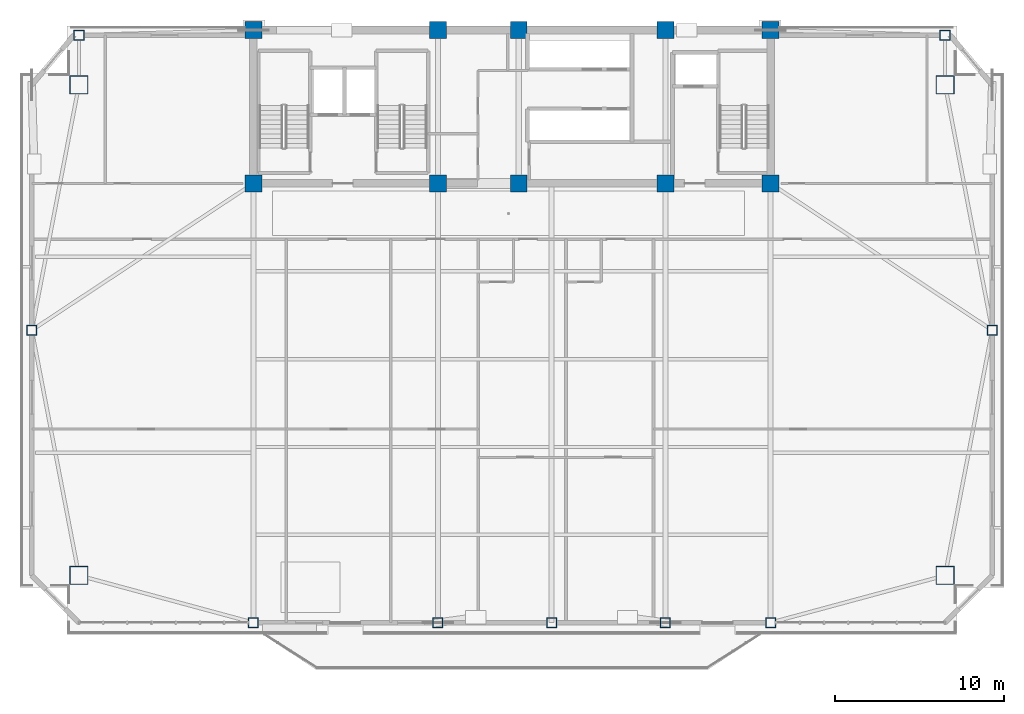
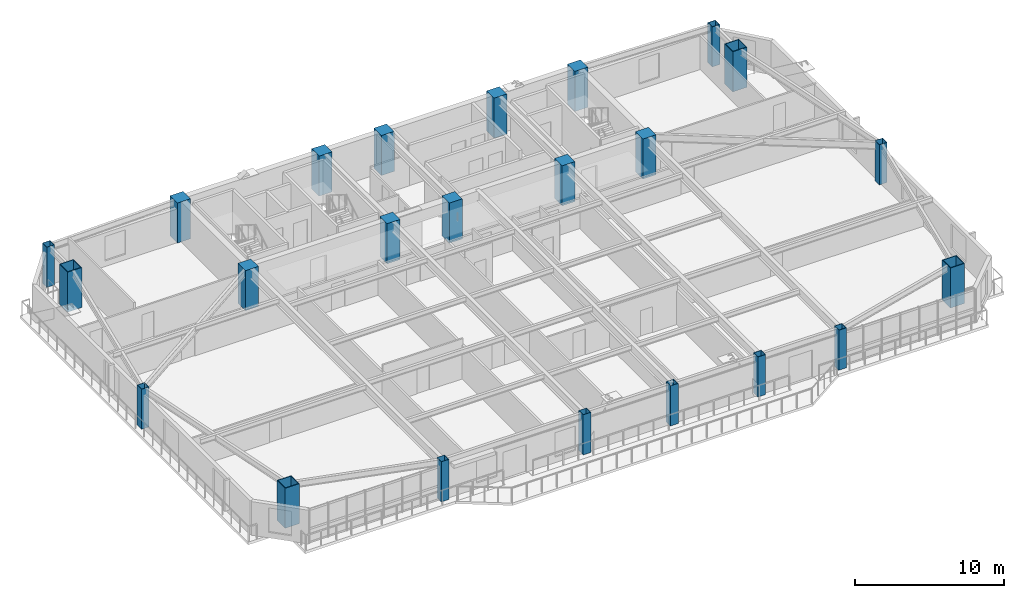
# One storey, part 1 of 17: 23 columns.
"""IFC4 building model written with IfcOpenShell, lengths in metres."""

from ifc_helpers import new_model, si_unit, direction, frame, origin, origin_2d, place, context, subcontext, project, spatial, rectangle, hollow_rectangle, extrude, source, transform, mapped, material, material_profile, profile_set, type_object, element, save


model = new_model("IFC4")

# Units and contexts
model_context = context("Model", 3, precision=1e-05, world=origin(), true_north=direction((0.0, 1.0)))
body_context = subcontext(model_context, "Body", "Model", "MODEL_VIEW")
ifc_project = project(units=[si_unit("LENGTHUNIT", "METRE"), si_unit("AREAUNIT", "SQUARE_METRE"), si_unit("VOLUMEUNIT", "CUBIC_METRE"), si_unit("PLANEANGLEUNIT", "RADIAN"), si_unit("MASSUNIT", "GRAM", prefix="KILO")], contexts=[model_context])

# Site, building, storey
site_placement = place(None, origin())
site = spatial("IfcSite", under=ifc_project, at=site_placement, CompositionType="ELEMENT")
building_placement = place(site_placement, origin())
building = spatial("IfcBuilding", under=site, at=building_placement, Name="Giltprow Tower", CompositionType="ELEMENT")
storey_placement = place(building_placement, frame((0.0, 0.0, 202.699951171875)))
storey = spatial("IfcBuildingStorey", under=building, at=storey_placement, Name="L51", CompositionType="ELEMENT", Elevation=202.699951171875)

# Columns
ifc_material_1 = material(Name="Concrete C50", Category="concrete")
ifc_material_profile_1 = material_profile(ifc_material_1, rectangle(XDim=1.0, YDim=1.0, at=origin_2d()), Name="RC 1000x1000")
ifc_profile_set_1 = profile_set([ifc_material_profile_1], Name="Concrete C50")
column_type_1 = type_object("IfcColumnType", Name="PIL-RC-1000-C50", PredefinedType="PILASTER", material=ifc_profile_set_1)
shared_shape_1 = source(origin(), body_context, "Body", "SweptSolid", [
    extrude(rectangle(XDim=1.0, YDim=1.0, at=origin_2d()), origin(), (0.0, 0.0, 1.0), 3.27001953125),
])
for number, where, z_axis, x_axis, name in (
    (1, (19.85009765625, 37.449951171875, 0.0), (0.0, 0.0, 1.0), (1.0, 0.0, 0.0), "L51 Core Boundary Pilaster 1-1"),
    (2, (19.85009765625, 46.550048828125, 0.0), (0.0, 0.0, 1.0), (1.0, 0.0, 0.0), "L51 Core Boundary Pilaster 1-2"),
    (3, (30.800048828125, 37.449951171875, 0.0), (0.0, 0.0, 1.0), (1.0, 0.0, 0.0), "L51 Core Boundary Pilaster 2-1"),
    (4, (30.800048828125, 46.550048828125, 0.0), (0.0, 0.0, 1.0), (1.0, 0.0, 0.0), "L51 Core Boundary Pilaster 2-2"),
    (5, (35.60009765625, 37.449951171875, 0.0), (0.0, 0.0, 1.0), (1.0, 0.0, 0.0), "L51 Core Boundary Pilaster 3-1"),
    (6, (35.60009765625, 46.550048828125, 0.0), (0.0, 0.0, 1.0), (1.0, 0.0, 0.0), "L51 Core Boundary Pilaster 3-2"),
    (7, (44.300048828125, 37.449951171875, 0.0), (0.0, 0.0, 1.0), (1.0, 0.0, 0.0), "L51 Core Boundary Pilaster 4-1"),
    (8, (44.300048828125, 46.550048828125, 0.0), (0.0, 0.0, 1.0), (1.0, 0.0, 0.0), "L51 Core Boundary Pilaster 4-2"),
    (9, (50.550048828125, 37.449951171875, 0.0), (0.0, 0.0, 1.0), (1.0, 0.0, 0.0), "L51 Core Boundary Pilaster 5-1"),
    (10, (50.550048828125, 46.550048828125, 0.0), (0.0, 0.0, 1.0), (1.0, 0.0, 0.0), "L51 Core Boundary Pilaster 5-2"),
):
    element("IfcColumn", number, at=place(storey_placement, frame(where, z_axis=z_axis, x_axis=x_axis)), inside=storey, type_object=column_type_1, Name=name, PredefinedType="PILASTER", context=body_context, shape_type="MappedRepresentation", body=[
        mapped(shared_shape_1, transform((0.0, 0.0, 0.0), x_axis=(1.0, 0.0, 0.0), y_axis=(0.0, 1.0, 0.0), z_axis=(0.0, 0.0, 1.0), scale=1.0)),
    ])
ifc_material_2 = material(Name="Structural steel Q420GJC", Category="steel")
ifc_material_profile_2 = material_profile(ifc_material_2, hollow_rectangle(XDim=1.10009765625, YDim=1.10009765625, WallThickness=0.050048828125, at=origin_2d()), Name="BOX 1100x1100x50")
ifc_profile_set_2 = profile_set([ifc_material_profile_2], Name="Structural steel Q420GJC")
column_type_2 = type_object("IfcColumnType", Name="COL-BOX-1100x1100x50", PredefinedType="COLUMN", material=ifc_profile_set_2)
shared_shape_2 = source(origin(), body_context, "Body", "SweptSolid", [
    extrude(hollow_rectangle(XDim=1.10009765625, YDim=1.10009765625, WallThickness=0.050048828125, at=origin_2d()), origin(), (0.0, 0.0, 1.0), 3.27001953125),
])
for number, where, z_axis, x_axis, name in (
    (11, (9.5029296875, 14.18603515625, 0.0), (0.0, 0.0, 1.0), (1.0, 0.0, 0.0), "L51 Mega-Column MC_SW"),
    (12, (60.89794921875, 14.18603515625, 0.0), (0.0, 0.0, 1.0), (1.0, 0.0, 0.0), "L51 Mega-Column MC_SE"),
    (13, (9.5029296875, 43.300048828125, 0.0), (0.0, 0.0, 1.0), (1.0, 0.0, 0.0), "L51 Mega-Column MC_NW"),
    (14, (60.89794921875, 43.300048828125, 0.0), (0.0, 0.0, 1.0), (1.0, 0.0, 0.0), "L51 Mega-Column MC_NE"),
):
    element("IfcColumn", number, at=place(storey_placement, frame(where, z_axis=z_axis, x_axis=x_axis)), inside=storey, type_object=column_type_2, Name=name, PredefinedType="COLUMN", context=body_context, shape_type="MappedRepresentation", body=[
        mapped(shared_shape_2, transform((0.0, 0.0, 0.0), x_axis=(1.0, 0.0, 0.0), y_axis=(0.0, 1.0, 0.0), z_axis=(0.0, 0.0, 1.0), scale=1.0)),
    ])
ifc_material_3 = material(Name="Structural steel Q355B", Category="steel")
ifc_material_profile_3 = material_profile(ifc_material_3, hollow_rectangle(XDim=0.60009765625, YDim=0.60009765625, WallThickness=0.028076171875, at=origin_2d()), Name="BOX 600x600x28")
ifc_profile_set_3 = profile_set([ifc_material_profile_3], Name="Structural steel Q355B")
column_type_3 = type_object("IfcColumnType", Name="COL-BOX-600x600x28", PredefinedType="COLUMN", material=ifc_profile_set_3)
shared_shape_3 = source(origin(), body_context, "Body", "SweptSolid", [
    extrude(hollow_rectangle(XDim=0.60009765625, YDim=0.60009765625, WallThickness=0.028076171875, at=origin_2d()), origin(), (0.0, 0.0, 1.0), 3.27001953125),
])
for number, where, z_axis, x_axis, name in (
    (15, (19.85009765625, 11.385986328125, 0.0), (0.0, 0.0, 1.0), (1.0, 0.0, 0.0), "L51 Perimeter Column S1"),
    (16, (30.800048828125, 11.385986328125, 0.0), (0.0, 0.0, 1.0), (1.0, 0.0, 0.0), "L51 Perimeter Column S2"),
    (17, (37.550048828125, 11.385986328125, 0.0), (0.0, 0.0, 1.0), (1.0, 0.0, 0.0), "L51 Perimeter Column S_MID"),
    (18, (44.300048828125, 11.385986328125, 0.0), (0.0, 0.0, 1.0), (1.0, 0.0, 0.0), "L51 Perimeter Column S3"),
    (19, (50.550048828125, 11.385986328125, 0.0), (0.0, 0.0, 1.0), (1.0, 0.0, 0.0), "L51 Perimeter Column S4"),
    (20, (6.702880859375, 28.742919921875, 0.0), (0.0, 0.0, 1.0), (1.0, 0.0, 0.0), "L51 Perimeter Column W_MID"),
    (21, (63.697998046875, 28.742919921875, 0.0), (0.0, 0.0, 1.0), (1.0, 0.0, 0.0), "L51 Perimeter Column E_MID"),
    (22, (9.5029296875, 46.25, 0.0), (0.0, 0.0, 1.0), (1.0, 0.0, 0.0), "L51 Perimeter Column N_W"),
    (23, (60.89794921875, 46.25, 0.0), (0.0, 0.0, 1.0), (1.0, 0.0, 0.0), "L51 Perimeter Column N_E"),
):
    element("IfcColumn", number, at=place(storey_placement, frame(where, z_axis=z_axis, x_axis=x_axis)), inside=storey, type_object=column_type_3, Name=name, PredefinedType="COLUMN", context=body_context, shape_type="MappedRepresentation", body=[
        mapped(shared_shape_3, transform((0.0, 0.0, 0.0), x_axis=(1.0, 0.0, 0.0), y_axis=(0.0, 1.0, 0.0), z_axis=(0.0, 0.0, 1.0), scale=1.0)),
    ])

save(model, "model.ifc")
